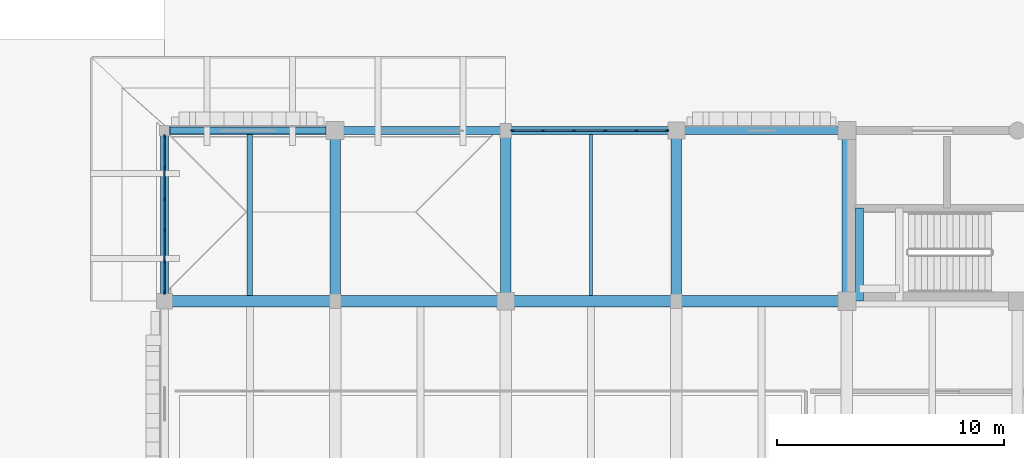
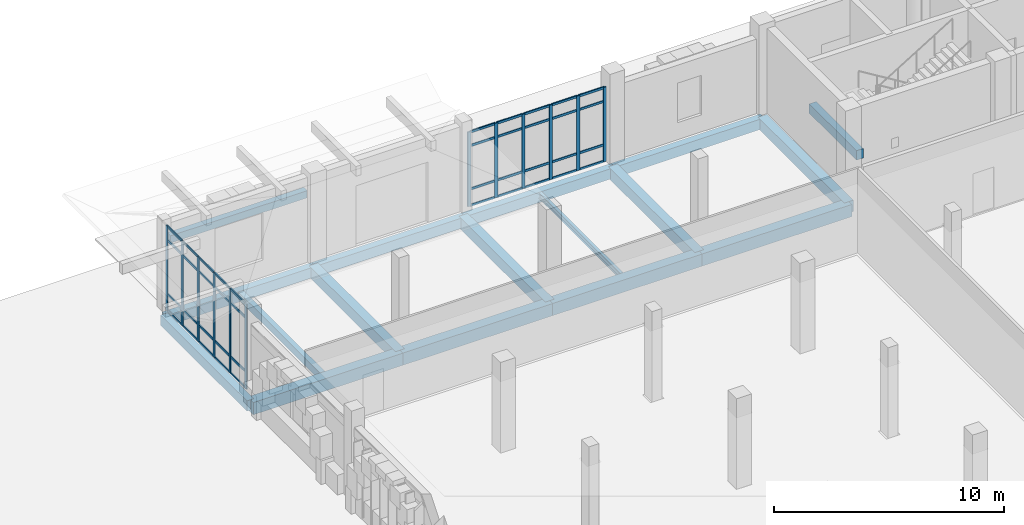
# One storey, part 47 of 125: 52 members, 17 beams, 2 elements without a shape of their own.
"""IFC4 building model written with IfcOpenShell, lengths in metres."""

from ifc_helpers import new_model, si_unit, direction, frame, origin, origin_2d, place, context, subcontext, project, spatial, rectangle, i_section, extrude, material, layer, layer_set, material_profile, profile_set, type_object, element, aggregate, save


model = new_model("IFC4")

# Units and contexts
model_context = context("Model", 3, precision=1e-05, world=origin(), true_north=direction((0.0, 1.0)))
body_context = subcontext(model_context, "Body", "Model", "MODEL_VIEW")
ifc_project = project(units=[si_unit("LENGTHUNIT", "METRE"), si_unit("AREAUNIT", "SQUARE_METRE"), si_unit("VOLUMEUNIT", "CUBIC_METRE"), si_unit("PLANEANGLEUNIT", "RADIAN"), si_unit("MASSUNIT", "GRAM", prefix="KILO")], contexts=[model_context])

# Site, building, storey
site_placement = place(None, origin())
site = spatial("IfcSite", under=ifc_project, at=site_placement, CompositionType="ELEMENT")
building_placement = place(site_placement, origin())
building = spatial("IfcBuilding", under=site, at=building_placement, Name="Dalvernix Boulevard General Hospital", CompositionType="ELEMENT")
storey_placement = place(building_placement, origin())
storey = spatial("IfcBuildingStorey", under=building, at=storey_placement, Name="L00", CompositionType="ELEMENT", Elevation=0.0)

# Beams
ifc_material_1 = material(Name="Concrete C35/45", Category="concrete")
ifc_material_profile_1 = material_profile(ifc_material_1, rectangle(XDim=0.5, YDim=0.64990234375, at=origin_2d()), Name="RCB 500x650")
ifc_profile_set_1 = profile_set([ifc_material_profile_1], Name="Concrete C35/45")
beam_type_1 = type_object("IfcBeamType", Name="BM-B-02-I", PredefinedType="BEAM", material=ifc_profile_set_1)
for number, where, z_axis, x_axis, name in (
    (1, (30.0, 109.5, -0.68505859375), (1.0, 0.0, 0.0), (0.0, 1.0, 0.0), "L00 E-W girder Q:5-6"),
    (2, (37.5, 109.5, -0.68505859375), (1.0, 0.0, 0.0), (0.0, 1.0, 0.0), "L00 E-W girder Q:6-7"),
    (3, (45.0, 109.5, -0.68505859375), (1.0, 0.0, 0.0), (0.0, 1.0, 0.0), "L00 E-W girder Q:7-8"),
    (4, (52.5, 109.5, -0.68505859375), (1.0, 0.0, 0.0), (0.0, 1.0, 0.0), "L00 E-W girder Q:8-9"),
):
    element("IfcBeam", number, at=place(storey_placement, frame(where, z_axis=z_axis, x_axis=x_axis)), inside=storey, type_object=beam_type_1, Name=name, PredefinedType="BEAM", context=body_context, shape_type="SweptSolid", body=[
        extrude(rectangle(XDim=0.5, YDim=0.64990234375, at=origin_2d()), origin(), (0.0, 0.0, 1.0), 7.5),
    ])
ifc_material_profile_2 = material_profile(ifc_material_1, rectangle(XDim=0.449951171875, YDim=0.60009765625, at=origin_2d()), Name="RCB 450x600")
ifc_profile_set_2 = profile_set([ifc_material_profile_2], Name="Concrete C35/45")
beam_type_2 = type_object("IfcBeamType", Name="BM-B-04-I", PredefinedType="BEAM", material=ifc_profile_set_2)
for number, where, z_axis, x_axis, name in (
    (5, (37.5, 109.5, -0.659912109375), (0.0, 1.0, 0.0), (-1.0, 0.0, 0.0), "L00 N-S girder 6:Q-R"),
    (6, (45.0, 109.5, -0.659912109375), (0.0, 1.0, 0.0), (-1.0, 0.0, 0.0), "L00 N-S girder 7:Q-R"),
    (7, (52.5, 109.5, -0.659912109375), (0.0, 1.0, 0.0), (-1.0, 0.0, 0.0), "L00 N-S girder 8:Q-R"),
    (8, (60.0, 109.5, -0.659912109375), (0.0, 1.0, 0.0), (-1.0, 0.0, 0.0), "L00 N-S girder 9:Q-R"),
):
    element("IfcBeam", number, at=place(storey_placement, frame(where, z_axis=z_axis, x_axis=x_axis)), inside=storey, type_object=beam_type_2, Name=name, PredefinedType="BEAM", context=body_context, shape_type="SweptSolid", body=[
        extrude(rectangle(XDim=0.449951171875, YDim=0.60009765625, at=origin_2d()), origin(), (0.0, 0.0, 1.0), 7.5),
    ])
ifc_material_profile_3 = material_profile(ifc_material_1, rectangle(XDim=0.35009765625, YDim=0.5, at=origin_2d()), Name="RCB 350x500")
ifc_profile_set_3 = profile_set([ifc_material_profile_3], Name="Concrete C35/45")
beam_type_3 = type_object("IfcBeamType", Name="BM-B-08", PredefinedType="BEAM", material=ifc_profile_set_3)
beam_1_placement = place(storey_placement, frame((60.550048828125, 109.5, 1.949951171875), z_axis=(0.0, 1.0, 0.0), x_axis=(-1.0, 0.0, 0.0)))
element("IfcBeam", 9, at=beam_1_placement, inside=storey, type_object=beam_type_3, Name="L00 C3 stair half-landing beam 1", PredefinedType="BEAM", context=body_context, shape_type="SweptSolid", body=[
    extrude(rectangle(XDim=0.35009765625, YDim=0.5, at=origin_2d()), origin(), (0.0, 0.0, 1.0), 4.10009765625),
])
ifc_material_profile_4 = material_profile(ifc_material_1, rectangle(XDim=0.25, YDim=0.39990234375, at=origin_2d()), Name="RCB 250x400")
ifc_profile_set_4 = profile_set([ifc_material_profile_4], Name="Concrete C35/45")
beam_type_4 = type_object("IfcBeamType", Name="BM-JB-02", PredefinedType="JOIST", material=ifc_profile_set_4)
beam_2_placement = place(storey_placement, frame((33.75, 109.75, -0.56005859375), z_axis=(0.0, 1.0, 0.0), x_axis=(-1.0, 0.0, 0.0)))
element("IfcBeam", 10, at=beam_2_placement, inside=storey, type_object=beam_type_4, Name="L00 secondary floor beam 5-Q", PredefinedType="JOIST", context=body_context, shape_type="SweptSolid", body=[
    extrude(rectangle(XDim=0.25, YDim=0.39990234375, at=origin_2d()), origin(), (0.0, 0.0, 1.0), 7.074951171875),
])
ifc_material_2 = material(Name="Steel S355", Category="steel")
ifc_material_profile_5 = material_profile(ifc_material_2, i_section(OverallWidth=0.14990234375, OverallDepth=0.300048828125, WebThickness=0.007080078125, FlangeThickness=0.0107421875, FilletRadius=0.014892578125, at=origin_2d()), Name="IPE 300")
ifc_profile_set_5 = profile_set([ifc_material_profile_5], Name="Steel S355")
beam_type_5 = type_object("IfcBeamType", Name="BM-JB-03", PredefinedType="JOIST", material=ifc_profile_set_5)
beam_3_placement = place(storey_placement, frame((48.75, 109.75, -0.510009765625), z_axis=(0.0, 1.0, 0.0), x_axis=(-1.0, 0.0, 0.0)))
element("IfcBeam", 11, at=beam_3_placement, inside=storey, type_object=beam_type_5, Name="L00 secondary floor beam 7-Q", PredefinedType="JOIST", context=body_context, shape_type="SweptSolid", body=[
    extrude(i_section(OverallWidth=0.14990234375, OverallDepth=0.300048828125, WebThickness=0.007080078125, FlangeThickness=0.0107421875, FilletRadius=0.014892578125, at=origin_2d()), origin(), (0.0, 0.0, 1.0), 7.074951171875),
])
ifc_material_3 = material(Name="Precast concrete C40/50", Category="concrete")
ifc_material_profile_6 = material_profile(ifc_material_3, rectangle(XDim=0.300048828125, YDim=0.3798828125, at=origin_2d()), Name="RCL 300x380")
ifc_profile_set_6 = profile_set([ifc_material_profile_6], Name="Precast concrete C40/50")
beam_type_6 = type_object("IfcBeamType", Name="BM-LB-02", PredefinedType="LINTEL", material=ifc_profile_set_6)
beam_4_placement = place(storey_placement, frame((30.235107421875, 117.0, 3.590087890625), z_axis=(1.0, 0.0, 0.0), x_axis=(0.0, 1.0, 0.0)))
element("IfcBeam", 12, at=beam_4_placement, inside=storey, type_object=beam_type_6, Name="L00 precast window lintel N 4-15", PredefinedType="LINTEL", context=body_context, shape_type="SweptSolid", body=[
    extrude(rectangle(XDim=0.300048828125, YDim=0.3798828125, at=origin_2d()), origin(), (0.0, 0.0, 1.0), 6.85498046875),
])
ifc_material_profile_7 = material_profile(ifc_material_1, rectangle(XDim=0.35009765625, YDim=0.550048828125, at=origin_2d()), Name="RCB 350x550")
ifc_profile_set_7 = profile_set([ifc_material_profile_7], Name="Concrete C35/45")
beam_type_7 = type_object("IfcBeamType", Name="BM-SB-01-E", PredefinedType="SPANDREL", material=ifc_profile_set_7)
for number, where, z_axis, x_axis, name in (
    (13, (30.0, 117.0, -0.635009765625), (1.0, 0.0, 0.0), (0.0, 1.0, 0.0), "L00 E-W girder R:5-6"),
    (14, (37.5, 117.0, -0.635009765625), (1.0, 0.0, 0.0), (0.0, 1.0, 0.0), "L00 E-W girder R:6-7"),
    (15, (45.0, 117.0, -0.635009765625), (1.0, 0.0, 0.0), (0.0, 1.0, 0.0), "L00 E-W girder R:7-8"),
    (16, (52.5, 117.0, -0.635009765625), (1.0, 0.0, 0.0), (0.0, 1.0, 0.0), "L00 E-W girder R:8-9"),
    (17, (30.0, 109.5, -0.635009765625), (0.0, 1.0, 0.0), (-1.0, 0.0, 0.0), "L00 N-S girder 5:Q-R"),
):
    element("IfcBeam", number, at=place(storey_placement, frame(where, z_axis=z_axis, x_axis=x_axis)), inside=storey, type_object=beam_type_7, Name=name, PredefinedType="SPANDREL", context=body_context, shape_type="SweptSolid", body=[
        extrude(rectangle(XDim=0.35009765625, YDim=0.550048828125, at=origin_2d()), origin(), (0.0, 0.0, 1.0), 7.5),
    ])

# Curtain wall, members
ifc_material_4 = material(Name="Thermally broken aluminium and solar-control glass curtain wall", Category="aluminium")
ifc_layer_1 = layer(ifc_material_4, 0.159912109375)
ifc_layer_set_1 = layer_set([ifc_layer_1], Name="Thermally broken aluminium and solar-control glass curtain wall (CW-CW-A-69x45)")
curtain_wall_type_1 = type_object("IfcCurtainWallType", Name="CW-CW-A-69x45", PredefinedType="USERDEFINED", material=ifc_layer_set_1)
curtain_wall_1_placement = place(storey_placement, origin())
curtain_wall_1 = element("IfcCurtainWall", 18, at=curtain_wall_1_placement, inside=storey, type_object=curtain_wall_type_1, Name="L00 curtain wall CW-A-69x45 4-14", ObjectType="GLAZED FACADE", PredefinedType="USERDEFINED")
ifc_material_5 = material(Name="Aluminium EN AW-6060", Category="aluminium")
ifc_material_profile_8 = material_profile(ifc_material_5, rectangle(XDim=0.06005859375, YDim=0.159912109375, at=origin_2d()), Name="ALU MULL 60x160")
ifc_profile_set_8 = profile_set([ifc_material_profile_8], Name="Aluminium EN AW-6060")
member_type_1 = type_object("IfcMemberType", Name="MEM-CW-M1", PredefinedType="MULLION", material=ifc_profile_set_8)
member_1_placement = place(storey_placement, frame((30.0, 109.889892578125, 0.0), z_axis=(0.0, 0.0, 1.0), x_axis=(-1.0, 0.0, 0.0)))
member_1 = element("IfcMember", 19, at=member_1_placement, type_object=member_type_1, Name="CW-A-69x45 mullion 1", PredefinedType="MULLION", context=body_context, shape_type="SweptSolid", body=[
    extrude(rectangle(XDim=0.06005859375, YDim=0.159912109375, at=origin_2d()), origin(), (0.0, 0.0, 1.0), 4.5),
])
member_2_placement = place(storey_placement, frame((30.0, 111.240966796875, 0.0), z_axis=(0.0, 0.0, 1.0), x_axis=(-1.0, 0.0, 0.0)))
member_2 = element("IfcMember", 20, at=member_2_placement, type_object=member_type_1, Name="CW-A-69x45 mullion 2", PredefinedType="MULLION", context=body_context, shape_type="SweptSolid", body=[
    extrude(rectangle(XDim=0.06005859375, YDim=0.159912109375, at=origin_2d()), origin(), (0.0, 0.0, 1.0), 4.5),
])
member_3_placement = place(storey_placement, frame((30.0, 112.6220703125, 0.0), z_axis=(0.0, 0.0, 1.0), x_axis=(-1.0, 0.0, 0.0)))
member_3 = element("IfcMember", 21, at=member_3_placement, type_object=member_type_1, Name="CW-A-69x45 mullion 3", PredefinedType="MULLION", context=body_context, shape_type="SweptSolid", body=[
    extrude(rectangle(XDim=0.06005859375, YDim=0.159912109375, at=origin_2d()), origin(), (0.0, 0.0, 1.0), 4.5),
])
member_4_placement = place(storey_placement, frame((30.0, 114.0029296875, 0.0), z_axis=(0.0, 0.0, 1.0), x_axis=(-1.0, 0.0, 0.0)))
member_4 = element("IfcMember", 22, at=member_4_placement, type_object=member_type_1, Name="CW-A-69x45 mullion 4", PredefinedType="MULLION", context=body_context, shape_type="SweptSolid", body=[
    extrude(rectangle(XDim=0.06005859375, YDim=0.159912109375, at=origin_2d()), origin(), (0.0, 0.0, 1.0), 4.5),
])
member_5_placement = place(storey_placement, frame((30.0, 115.384033203125, 0.0), z_axis=(0.0, 0.0, 1.0), x_axis=(-1.0, 0.0, 0.0)))
member_5 = element("IfcMember", 23, at=member_5_placement, type_object=member_type_1, Name="CW-A-69x45 mullion 5", PredefinedType="MULLION", context=body_context, shape_type="SweptSolid", body=[
    extrude(rectangle(XDim=0.06005859375, YDim=0.159912109375, at=origin_2d()), origin(), (0.0, 0.0, 1.0), 4.5),
])
member_6_placement = place(storey_placement, frame((30.0, 116.735107421875, 0.0), z_axis=(0.0, 0.0, 1.0), x_axis=(-1.0, 0.0, 0.0)))
member_6 = element("IfcMember", 24, at=member_6_placement, type_object=member_type_1, Name="CW-A-69x45 mullion 6", PredefinedType="MULLION", context=body_context, shape_type="SweptSolid", body=[
    extrude(rectangle(XDim=0.06005859375, YDim=0.159912109375, at=origin_2d()), origin(), (0.0, 0.0, 1.0), 4.5),
])

ifc_layer_2 = layer(ifc_material_4, 0.159912109375)
ifc_layer_set_2 = layer_set([ifc_layer_2], Name="Thermally broken aluminium and solar-control glass curtain wall (CW-CW-A-69x40)")
curtain_wall_type_2 = type_object("IfcCurtainWallType", Name="CW-CW-A-69x40", PredefinedType="USERDEFINED", material=ifc_layer_set_2)
curtain_wall_2_placement = place(storey_placement, origin())
curtain_wall_2 = element("IfcCurtainWall", 25, at=curtain_wall_2_placement, inside=storey, type_object=curtain_wall_type_2, Name="L00 curtain wall CW-A-69x40 6-15", ObjectType="GLAZED FACADE", PredefinedType="USERDEFINED")
member_7_placement = place(storey_placement, frame((45.2900390625, 117.0, 0.0), z_axis=(0.0, 0.0, 1.0), x_axis=(0.0, 1.0, 0.0)))
member_7 = element("IfcMember", 26, at=member_7_placement, type_object=member_type_1, Name="CW-A-69x40 mullion 1", PredefinedType="MULLION", context=body_context, shape_type="SweptSolid", body=[
    extrude(rectangle(XDim=0.06005859375, YDim=0.159912109375, at=origin_2d()), origin(), (0.0, 0.0, 1.0), 3.949951171875),
])
member_8_placement = place(storey_placement, frame((46.631103515625, 117.0, 0.0), z_axis=(0.0, 0.0, 1.0), x_axis=(0.0, 1.0, 0.0)))
member_8 = element("IfcMember", 27, at=member_8_placement, type_object=member_type_1, Name="CW-A-69x40 mullion 2", PredefinedType="MULLION", context=body_context, shape_type="SweptSolid", body=[
    extrude(rectangle(XDim=0.06005859375, YDim=0.159912109375, at=origin_2d()), origin(), (0.0, 0.0, 1.0), 3.949951171875),
])
member_9_placement = place(storey_placement, frame((48.001953125, 117.0, 0.0), z_axis=(0.0, 0.0, 1.0), x_axis=(0.0, 1.0, 0.0)))
member_9 = element("IfcMember", 28, at=member_9_placement, type_object=member_type_1, Name="CW-A-69x40 mullion 3", PredefinedType="MULLION", context=body_context, shape_type="SweptSolid", body=[
    extrude(rectangle(XDim=0.06005859375, YDim=0.159912109375, at=origin_2d()), origin(), (0.0, 0.0, 1.0), 3.949951171875),
])
member_10_placement = place(storey_placement, frame((49.373046875, 117.0, 0.0), z_axis=(0.0, 0.0, 1.0), x_axis=(0.0, 1.0, 0.0)))
member_10 = element("IfcMember", 29, at=member_10_placement, type_object=member_type_1, Name="CW-A-69x40 mullion 4", PredefinedType="MULLION", context=body_context, shape_type="SweptSolid", body=[
    extrude(rectangle(XDim=0.06005859375, YDim=0.159912109375, at=origin_2d()), origin(), (0.0, 0.0, 1.0), 3.949951171875),
])
member_11_placement = place(storey_placement, frame((50.743896484375, 117.0, 0.0), z_axis=(0.0, 0.0, 1.0), x_axis=(0.0, 1.0, 0.0)))
member_11 = element("IfcMember", 30, at=member_11_placement, type_object=member_type_1, Name="CW-A-69x40 mullion 5", PredefinedType="MULLION", context=body_context, shape_type="SweptSolid", body=[
    extrude(rectangle(XDim=0.06005859375, YDim=0.159912109375, at=origin_2d()), origin(), (0.0, 0.0, 1.0), 3.949951171875),
])
member_12_placement = place(storey_placement, frame((52.0849609375, 117.0, 0.0), z_axis=(0.0, 0.0, 1.0), x_axis=(0.0, 1.0, 0.0)))
member_12 = element("IfcMember", 31, at=member_12_placement, type_object=member_type_1, Name="CW-A-69x40 mullion 6", PredefinedType="MULLION", context=body_context, shape_type="SweptSolid", body=[
    extrude(rectangle(XDim=0.06005859375, YDim=0.159912109375, at=origin_2d()), origin(), (0.0, 0.0, 1.0), 3.949951171875),
])

# Member
ifc_material_profile_9 = material_profile(ifc_material_5, rectangle(XDim=0.06005859375, YDim=0.1201171875, at=origin_2d()), Name="ALU TRAN 60x120")
ifc_profile_set_9 = profile_set([ifc_material_profile_9], Name="Aluminium EN AW-6060")
member_type_2 = type_object("IfcMemberType", Name="MEM-CW-T1", PredefinedType="USERDEFINED", material=ifc_profile_set_9)
member_13_placement = place(storey_placement, frame((30.0, 109.919921875, 0.030029296875), z_axis=(0.0, 1.0, 0.0), x_axis=(-1.0, 0.0, 0.0)))
member_13 = element("IfcMember", 32, at=member_13_placement, type_object=member_type_2, Name="CW-A-69x45 transom 1.1", ObjectType="TRANSOM", PredefinedType="USERDEFINED", context=body_context, shape_type="SweptSolid", body=[
    extrude(rectangle(XDim=0.06005859375, YDim=0.1201171875, at=origin_2d()), origin(), (0.0, 0.0, 1.0), 1.291015625),
])

member_14_placement = place(storey_placement, frame((30.0, 109.919921875, 0.89990234375), z_axis=(0.0, 1.0, 0.0), x_axis=(-1.0, 0.0, 0.0)))
member_14 = element("IfcMember", 33, at=member_14_placement, type_object=member_type_2, Name="CW-A-69x45 transom 1.2", ObjectType="TRANSOM", PredefinedType="USERDEFINED", context=body_context, shape_type="SweptSolid", body=[
    extrude(rectangle(XDim=0.06005859375, YDim=0.1201171875, at=origin_2d()), origin(), (0.0, 0.0, 1.0), 1.291015625),
])

member_15_placement = place(storey_placement, frame((30.0, 109.919921875, 3.75), z_axis=(0.0, 1.0, 0.0), x_axis=(-1.0, 0.0, 0.0)))
member_15 = element("IfcMember", 34, at=member_15_placement, type_object=member_type_2, Name="CW-A-69x45 transom 1.3", ObjectType="TRANSOM", PredefinedType="USERDEFINED", context=body_context, shape_type="SweptSolid", body=[
    extrude(rectangle(XDim=0.06005859375, YDim=0.1201171875, at=origin_2d()), origin(), (0.0, 0.0, 1.0), 1.291015625),
])

member_16_placement = place(storey_placement, frame((30.0, 109.919921875, 4.469970703125), z_axis=(0.0, 1.0, 0.0), x_axis=(-1.0, 0.0, 0.0)))
member_16 = element("IfcMember", 35, at=member_16_placement, type_object=member_type_2, Name="CW-A-69x45 transom 1.4", ObjectType="TRANSOM", PredefinedType="USERDEFINED", context=body_context, shape_type="SweptSolid", body=[
    extrude(rectangle(XDim=0.06005859375, YDim=0.1201171875, at=origin_2d()), origin(), (0.0, 0.0, 1.0), 1.291015625),
])

member_17_placement = place(storey_placement, frame((30.0, 111.27099609375, 0.030029296875), z_axis=(0.0, 1.0, 0.0), x_axis=(-1.0, 0.0, 0.0)))
member_17 = element("IfcMember", 36, at=member_17_placement, type_object=member_type_2, Name="CW-A-69x45 transom 2.1", ObjectType="TRANSOM", PredefinedType="USERDEFINED", context=body_context, shape_type="SweptSolid", body=[
    extrude(rectangle(XDim=0.06005859375, YDim=0.1201171875, at=origin_2d()), origin(), (0.0, 0.0, 1.0), 1.321044921875),
])

member_18_placement = place(storey_placement, frame((30.0, 111.27099609375, 0.89990234375), z_axis=(0.0, 1.0, 0.0), x_axis=(-1.0, 0.0, 0.0)))
member_18 = element("IfcMember", 37, at=member_18_placement, type_object=member_type_2, Name="CW-A-69x45 transom 2.2", ObjectType="TRANSOM", PredefinedType="USERDEFINED", context=body_context, shape_type="SweptSolid", body=[
    extrude(rectangle(XDim=0.06005859375, YDim=0.1201171875, at=origin_2d()), origin(), (0.0, 0.0, 1.0), 1.321044921875),
])

member_19_placement = place(storey_placement, frame((30.0, 111.27099609375, 3.75), z_axis=(0.0, 1.0, 0.0), x_axis=(-1.0, 0.0, 0.0)))
member_19 = element("IfcMember", 38, at=member_19_placement, type_object=member_type_2, Name="CW-A-69x45 transom 2.3", ObjectType="TRANSOM", PredefinedType="USERDEFINED", context=body_context, shape_type="SweptSolid", body=[
    extrude(rectangle(XDim=0.06005859375, YDim=0.1201171875, at=origin_2d()), origin(), (0.0, 0.0, 1.0), 1.321044921875),
])

member_20_placement = place(storey_placement, frame((30.0, 111.27099609375, 4.469970703125), z_axis=(0.0, 1.0, 0.0), x_axis=(-1.0, 0.0, 0.0)))
member_20 = element("IfcMember", 39, at=member_20_placement, type_object=member_type_2, Name="CW-A-69x45 transom 2.4", ObjectType="TRANSOM", PredefinedType="USERDEFINED", context=body_context, shape_type="SweptSolid", body=[
    extrude(rectangle(XDim=0.06005859375, YDim=0.1201171875, at=origin_2d()), origin(), (0.0, 0.0, 1.0), 1.321044921875),
])

member_21_placement = place(storey_placement, frame((30.0, 112.652099609375, 0.030029296875), z_axis=(0.0, 1.0, 0.0), x_axis=(-1.0, 0.0, 0.0)))
member_21 = element("IfcMember", 40, at=member_21_placement, type_object=member_type_2, Name="CW-A-69x45 transom 3.1", ObjectType="TRANSOM", PredefinedType="USERDEFINED", context=body_context, shape_type="SweptSolid", body=[
    extrude(rectangle(XDim=0.06005859375, YDim=0.1201171875, at=origin_2d()), origin(), (0.0, 0.0, 1.0), 1.32080078125),
])

member_22_placement = place(storey_placement, frame((30.0, 112.652099609375, 0.89990234375), z_axis=(0.0, 1.0, 0.0), x_axis=(-1.0, 0.0, 0.0)))
member_22 = element("IfcMember", 41, at=member_22_placement, type_object=member_type_2, Name="CW-A-69x45 transom 3.2", ObjectType="TRANSOM", PredefinedType="USERDEFINED", context=body_context, shape_type="SweptSolid", body=[
    extrude(rectangle(XDim=0.06005859375, YDim=0.1201171875, at=origin_2d()), origin(), (0.0, 0.0, 1.0), 1.32080078125),
])

member_23_placement = place(storey_placement, frame((30.0, 112.652099609375, 3.75), z_axis=(0.0, 1.0, 0.0), x_axis=(-1.0, 0.0, 0.0)))
member_23 = element("IfcMember", 42, at=member_23_placement, type_object=member_type_2, Name="CW-A-69x45 transom 3.3", ObjectType="TRANSOM", PredefinedType="USERDEFINED", context=body_context, shape_type="SweptSolid", body=[
    extrude(rectangle(XDim=0.06005859375, YDim=0.1201171875, at=origin_2d()), origin(), (0.0, 0.0, 1.0), 1.32080078125),
])

member_24_placement = place(storey_placement, frame((30.0, 112.652099609375, 4.469970703125), z_axis=(0.0, 1.0, 0.0), x_axis=(-1.0, 0.0, 0.0)))
member_24 = element("IfcMember", 43, at=member_24_placement, type_object=member_type_2, Name="CW-A-69x45 transom 3.4", ObjectType="TRANSOM", PredefinedType="USERDEFINED", context=body_context, shape_type="SweptSolid", body=[
    extrude(rectangle(XDim=0.06005859375, YDim=0.1201171875, at=origin_2d()), origin(), (0.0, 0.0, 1.0), 1.32080078125),
])

member_25_placement = place(storey_placement, frame((30.0, 114.032958984375, 0.030029296875), z_axis=(0.0, 1.0, 0.0), x_axis=(-1.0, 0.0, 0.0)))
member_25 = element("IfcMember", 44, at=member_25_placement, type_object=member_type_2, Name="CW-A-69x45 transom 4.1", ObjectType="TRANSOM", PredefinedType="USERDEFINED", context=body_context, shape_type="SweptSolid", body=[
    extrude(rectangle(XDim=0.06005859375, YDim=0.1201171875, at=origin_2d()), origin(), (0.0, 0.0, 1.0), 1.321044921875),
])

member_26_placement = place(storey_placement, frame((30.0, 114.032958984375, 0.89990234375), z_axis=(0.0, 1.0, 0.0), x_axis=(-1.0, 0.0, 0.0)))
member_26 = element("IfcMember", 45, at=member_26_placement, type_object=member_type_2, Name="CW-A-69x45 transom 4.2", ObjectType="TRANSOM", PredefinedType="USERDEFINED", context=body_context, shape_type="SweptSolid", body=[
    extrude(rectangle(XDim=0.06005859375, YDim=0.1201171875, at=origin_2d()), origin(), (0.0, 0.0, 1.0), 1.321044921875),
])

member_27_placement = place(storey_placement, frame((30.0, 114.032958984375, 3.75), z_axis=(0.0, 1.0, 0.0), x_axis=(-1.0, 0.0, 0.0)))
member_27 = element("IfcMember", 46, at=member_27_placement, type_object=member_type_2, Name="CW-A-69x45 transom 4.3", ObjectType="TRANSOM", PredefinedType="USERDEFINED", context=body_context, shape_type="SweptSolid", body=[
    extrude(rectangle(XDim=0.06005859375, YDim=0.1201171875, at=origin_2d()), origin(), (0.0, 0.0, 1.0), 1.321044921875),
])

member_28_placement = place(storey_placement, frame((30.0, 114.032958984375, 4.469970703125), z_axis=(0.0, 1.0, 0.0), x_axis=(-1.0, 0.0, 0.0)))
member_28 = element("IfcMember", 47, at=member_28_placement, type_object=member_type_2, Name="CW-A-69x45 transom 4.4", ObjectType="TRANSOM", PredefinedType="USERDEFINED", context=body_context, shape_type="SweptSolid", body=[
    extrude(rectangle(XDim=0.06005859375, YDim=0.1201171875, at=origin_2d()), origin(), (0.0, 0.0, 1.0), 1.321044921875),
])

member_29_placement = place(storey_placement, frame((30.0, 115.4140625, 0.030029296875), z_axis=(0.0, 1.0, 0.0), x_axis=(-1.0, 0.0, 0.0)))
member_29 = element("IfcMember", 48, at=member_29_placement, type_object=member_type_2, Name="CW-A-69x45 transom 5.1", ObjectType="TRANSOM", PredefinedType="USERDEFINED", context=body_context, shape_type="SweptSolid", body=[
    extrude(rectangle(XDim=0.06005859375, YDim=0.1201171875, at=origin_2d()), origin(), (0.0, 0.0, 1.0), 1.291015625),
])

member_30_placement = place(storey_placement, frame((30.0, 115.4140625, 0.89990234375), z_axis=(0.0, 1.0, 0.0), x_axis=(-1.0, 0.0, 0.0)))
member_30 = element("IfcMember", 49, at=member_30_placement, type_object=member_type_2, Name="CW-A-69x45 transom 5.2", ObjectType="TRANSOM", PredefinedType="USERDEFINED", context=body_context, shape_type="SweptSolid", body=[
    extrude(rectangle(XDim=0.06005859375, YDim=0.1201171875, at=origin_2d()), origin(), (0.0, 0.0, 1.0), 1.291015625),
])

member_31_placement = place(storey_placement, frame((30.0, 115.4140625, 3.75), z_axis=(0.0, 1.0, 0.0), x_axis=(-1.0, 0.0, 0.0)))
member_31 = element("IfcMember", 50, at=member_31_placement, type_object=member_type_2, Name="CW-A-69x45 transom 5.3", ObjectType="TRANSOM", PredefinedType="USERDEFINED", context=body_context, shape_type="SweptSolid", body=[
    extrude(rectangle(XDim=0.06005859375, YDim=0.1201171875, at=origin_2d()), origin(), (0.0, 0.0, 1.0), 1.291015625),
])

member_32_placement = place(storey_placement, frame((30.0, 115.4140625, 4.469970703125), z_axis=(0.0, 1.0, 0.0), x_axis=(-1.0, 0.0, 0.0)))
member_32 = element("IfcMember", 51, at=member_32_placement, type_object=member_type_2, Name="CW-A-69x45 transom 5.4", ObjectType="TRANSOM", PredefinedType="USERDEFINED", context=body_context, shape_type="SweptSolid", body=[
    extrude(rectangle(XDim=0.06005859375, YDim=0.1201171875, at=origin_2d()), origin(), (0.0, 0.0, 1.0), 1.291015625),
])

aggregate(curtain_wall_1, [member_1, member_2, member_3, member_4, member_5, member_6, member_13, member_14, member_15, member_16, member_17, member_18, member_19, member_20, member_21, member_22, member_23, member_24, member_25, member_26, member_27, member_28, member_29, member_30, member_31, member_32])

member_33_placement = place(storey_placement, frame((45.320068359375, 117.0, 0.030029296875), z_axis=(1.0, 0.0, 0.0), x_axis=(0.0, 1.0, 0.0)))
member_33 = element("IfcMember", 52, at=member_33_placement, type_object=member_type_2, Name="CW-A-69x40 transom 1.1", ObjectType="TRANSOM", PredefinedType="USERDEFINED", context=body_context, shape_type="SweptSolid", body=[
    extrude(rectangle(XDim=0.06005859375, YDim=0.1201171875, at=origin_2d()), origin(), (0.0, 0.0, 1.0), 1.281005859375),
])

member_34_placement = place(storey_placement, frame((45.320068359375, 117.0, 0.89990234375), z_axis=(1.0, 0.0, 0.0), x_axis=(0.0, 1.0, 0.0)))
member_34 = element("IfcMember", 53, at=member_34_placement, type_object=member_type_2, Name="CW-A-69x40 transom 1.2", ObjectType="TRANSOM", PredefinedType="USERDEFINED", context=body_context, shape_type="SweptSolid", body=[
    extrude(rectangle(XDim=0.06005859375, YDim=0.1201171875, at=origin_2d()), origin(), (0.0, 0.0, 1.0), 1.281005859375),
])

member_35_placement = place(storey_placement, frame((45.320068359375, 117.0, 3.199951171875), z_axis=(1.0, 0.0, 0.0), x_axis=(0.0, 1.0, 0.0)))
member_35 = element("IfcMember", 54, at=member_35_placement, type_object=member_type_2, Name="CW-A-69x40 transom 1.3", ObjectType="TRANSOM", PredefinedType="USERDEFINED", context=body_context, shape_type="SweptSolid", body=[
    extrude(rectangle(XDim=0.06005859375, YDim=0.1201171875, at=origin_2d()), origin(), (0.0, 0.0, 1.0), 1.281005859375),
])

member_36_placement = place(storey_placement, frame((45.320068359375, 117.0, 3.919921875), z_axis=(1.0, 0.0, 0.0), x_axis=(0.0, 1.0, 0.0)))
member_36 = element("IfcMember", 55, at=member_36_placement, type_object=member_type_2, Name="CW-A-69x40 transom 1.4", ObjectType="TRANSOM", PredefinedType="USERDEFINED", context=body_context, shape_type="SweptSolid", body=[
    extrude(rectangle(XDim=0.06005859375, YDim=0.1201171875, at=origin_2d()), origin(), (0.0, 0.0, 1.0), 1.281005859375),
])

member_37_placement = place(storey_placement, frame((46.660888671875, 117.0, 0.030029296875), z_axis=(1.0, 0.0, 0.0), x_axis=(0.0, 1.0, 0.0)))
member_37 = element("IfcMember", 56, at=member_37_placement, type_object=member_type_2, Name="CW-A-69x40 transom 2.1", ObjectType="TRANSOM", PredefinedType="USERDEFINED", context=body_context, shape_type="SweptSolid", body=[
    extrude(rectangle(XDim=0.06005859375, YDim=0.1201171875, at=origin_2d()), origin(), (0.0, 0.0, 1.0), 1.31103515625),
])

member_38_placement = place(storey_placement, frame((46.660888671875, 117.0, 0.89990234375), z_axis=(1.0, 0.0, 0.0), x_axis=(0.0, 1.0, 0.0)))
member_38 = element("IfcMember", 57, at=member_38_placement, type_object=member_type_2, Name="CW-A-69x40 transom 2.2", ObjectType="TRANSOM", PredefinedType="USERDEFINED", context=body_context, shape_type="SweptSolid", body=[
    extrude(rectangle(XDim=0.06005859375, YDim=0.1201171875, at=origin_2d()), origin(), (0.0, 0.0, 1.0), 1.31103515625),
])

member_39_placement = place(storey_placement, frame((46.660888671875, 117.0, 3.199951171875), z_axis=(1.0, 0.0, 0.0), x_axis=(0.0, 1.0, 0.0)))
member_39 = element("IfcMember", 58, at=member_39_placement, type_object=member_type_2, Name="CW-A-69x40 transom 2.3", ObjectType="TRANSOM", PredefinedType="USERDEFINED", context=body_context, shape_type="SweptSolid", body=[
    extrude(rectangle(XDim=0.06005859375, YDim=0.1201171875, at=origin_2d()), origin(), (0.0, 0.0, 1.0), 1.31103515625),
])

member_40_placement = place(storey_placement, frame((46.660888671875, 117.0, 3.919921875), z_axis=(1.0, 0.0, 0.0), x_axis=(0.0, 1.0, 0.0)))
member_40 = element("IfcMember", 59, at=member_40_placement, type_object=member_type_2, Name="CW-A-69x40 transom 2.4", ObjectType="TRANSOM", PredefinedType="USERDEFINED", context=body_context, shape_type="SweptSolid", body=[
    extrude(rectangle(XDim=0.06005859375, YDim=0.1201171875, at=origin_2d()), origin(), (0.0, 0.0, 1.0), 1.31103515625),
])

member_41_placement = place(storey_placement, frame((48.031982421875, 117.0, 0.030029296875), z_axis=(1.0, 0.0, 0.0), x_axis=(0.0, 1.0, 0.0)))
member_41 = element("IfcMember", 60, at=member_41_placement, type_object=member_type_2, Name="CW-A-69x40 transom 3.1", ObjectType="TRANSOM", PredefinedType="USERDEFINED", context=body_context, shape_type="SweptSolid", body=[
    extrude(rectangle(XDim=0.06005859375, YDim=0.1201171875, at=origin_2d()), origin(), (0.0, 0.0, 1.0), 1.31103515625),
])

member_42_placement = place(storey_placement, frame((48.031982421875, 117.0, 0.89990234375), z_axis=(1.0, 0.0, 0.0), x_axis=(0.0, 1.0, 0.0)))
member_42 = element("IfcMember", 61, at=member_42_placement, type_object=member_type_2, Name="CW-A-69x40 transom 3.2", ObjectType="TRANSOM", PredefinedType="USERDEFINED", context=body_context, shape_type="SweptSolid", body=[
    extrude(rectangle(XDim=0.06005859375, YDim=0.1201171875, at=origin_2d()), origin(), (0.0, 0.0, 1.0), 1.31103515625),
])

member_43_placement = place(storey_placement, frame((48.031982421875, 117.0, 3.199951171875), z_axis=(1.0, 0.0, 0.0), x_axis=(0.0, 1.0, 0.0)))
member_43 = element("IfcMember", 62, at=member_43_placement, type_object=member_type_2, Name="CW-A-69x40 transom 3.3", ObjectType="TRANSOM", PredefinedType="USERDEFINED", context=body_context, shape_type="SweptSolid", body=[
    extrude(rectangle(XDim=0.06005859375, YDim=0.1201171875, at=origin_2d()), origin(), (0.0, 0.0, 1.0), 1.31103515625),
])

member_44_placement = place(storey_placement, frame((48.031982421875, 117.0, 3.919921875), z_axis=(1.0, 0.0, 0.0), x_axis=(0.0, 1.0, 0.0)))
member_44 = element("IfcMember", 63, at=member_44_placement, type_object=member_type_2, Name="CW-A-69x40 transom 3.4", ObjectType="TRANSOM", PredefinedType="USERDEFINED", context=body_context, shape_type="SweptSolid", body=[
    extrude(rectangle(XDim=0.06005859375, YDim=0.1201171875, at=origin_2d()), origin(), (0.0, 0.0, 1.0), 1.31103515625),
])

member_45_placement = place(storey_placement, frame((49.403076171875, 117.0, 0.030029296875), z_axis=(1.0, 0.0, 0.0), x_axis=(0.0, 1.0, 0.0)))
member_45 = element("IfcMember", 64, at=member_45_placement, type_object=member_type_2, Name="CW-A-69x40 transom 4.1", ObjectType="TRANSOM", PredefinedType="USERDEFINED", context=body_context, shape_type="SweptSolid", body=[
    extrude(rectangle(XDim=0.06005859375, YDim=0.1201171875, at=origin_2d()), origin(), (0.0, 0.0, 1.0), 1.31103515625),
])

member_46_placement = place(storey_placement, frame((49.403076171875, 117.0, 0.89990234375), z_axis=(1.0, 0.0, 0.0), x_axis=(0.0, 1.0, 0.0)))
member_46 = element("IfcMember", 65, at=member_46_placement, type_object=member_type_2, Name="CW-A-69x40 transom 4.2", ObjectType="TRANSOM", PredefinedType="USERDEFINED", context=body_context, shape_type="SweptSolid", body=[
    extrude(rectangle(XDim=0.06005859375, YDim=0.1201171875, at=origin_2d()), origin(), (0.0, 0.0, 1.0), 1.31103515625),
])

member_47_placement = place(storey_placement, frame((49.403076171875, 117.0, 3.199951171875), z_axis=(1.0, 0.0, 0.0), x_axis=(0.0, 1.0, 0.0)))
member_47 = element("IfcMember", 66, at=member_47_placement, type_object=member_type_2, Name="CW-A-69x40 transom 4.3", ObjectType="TRANSOM", PredefinedType="USERDEFINED", context=body_context, shape_type="SweptSolid", body=[
    extrude(rectangle(XDim=0.06005859375, YDim=0.1201171875, at=origin_2d()), origin(), (0.0, 0.0, 1.0), 1.31103515625),
])

member_48_placement = place(storey_placement, frame((49.403076171875, 117.0, 3.919921875), z_axis=(1.0, 0.0, 0.0), x_axis=(0.0, 1.0, 0.0)))
member_48 = element("IfcMember", 67, at=member_48_placement, type_object=member_type_2, Name="CW-A-69x40 transom 4.4", ObjectType="TRANSOM", PredefinedType="USERDEFINED", context=body_context, shape_type="SweptSolid", body=[
    extrude(rectangle(XDim=0.06005859375, YDim=0.1201171875, at=origin_2d()), origin(), (0.0, 0.0, 1.0), 1.31103515625),
])

member_49_placement = place(storey_placement, frame((50.77392578125, 117.0, 0.030029296875), z_axis=(1.0, 0.0, 0.0), x_axis=(0.0, 1.0, 0.0)))
member_49 = element("IfcMember", 68, at=member_49_placement, type_object=member_type_2, Name="CW-A-69x40 transom 5.1", ObjectType="TRANSOM", PredefinedType="USERDEFINED", context=body_context, shape_type="SweptSolid", body=[
    extrude(rectangle(XDim=0.06005859375, YDim=0.1201171875, at=origin_2d()), origin(), (0.0, 0.0, 1.0), 1.281005859375),
])

member_50_placement = place(storey_placement, frame((50.77392578125, 117.0, 0.89990234375), z_axis=(1.0, 0.0, 0.0), x_axis=(0.0, 1.0, 0.0)))
member_50 = element("IfcMember", 69, at=member_50_placement, type_object=member_type_2, Name="CW-A-69x40 transom 5.2", ObjectType="TRANSOM", PredefinedType="USERDEFINED", context=body_context, shape_type="SweptSolid", body=[
    extrude(rectangle(XDim=0.06005859375, YDim=0.1201171875, at=origin_2d()), origin(), (0.0, 0.0, 1.0), 1.281005859375),
])

member_51_placement = place(storey_placement, frame((50.77392578125, 117.0, 3.199951171875), z_axis=(1.0, 0.0, 0.0), x_axis=(0.0, 1.0, 0.0)))
member_51 = element("IfcMember", 70, at=member_51_placement, type_object=member_type_2, Name="CW-A-69x40 transom 5.3", ObjectType="TRANSOM", PredefinedType="USERDEFINED", context=body_context, shape_type="SweptSolid", body=[
    extrude(rectangle(XDim=0.06005859375, YDim=0.1201171875, at=origin_2d()), origin(), (0.0, 0.0, 1.0), 1.281005859375),
])

member_52_placement = place(storey_placement, frame((50.77392578125, 117.0, 3.919921875), z_axis=(1.0, 0.0, 0.0), x_axis=(0.0, 1.0, 0.0)))
member_52 = element("IfcMember", 71, at=member_52_placement, type_object=member_type_2, Name="CW-A-69x40 transom 5.4", ObjectType="TRANSOM", PredefinedType="USERDEFINED", context=body_context, shape_type="SweptSolid", body=[
    extrude(rectangle(XDim=0.06005859375, YDim=0.1201171875, at=origin_2d()), origin(), (0.0, 0.0, 1.0), 1.281005859375),
])

aggregate(curtain_wall_2, [member_7, member_8, member_9, member_10, member_11, member_12, member_33, member_34, member_35, member_36, member_37, member_38, member_39, member_40, member_41, member_42, member_43, member_44, member_45, member_46, member_47, member_48, member_49, member_50, member_51, member_52])

save(model, "model.ifc")
